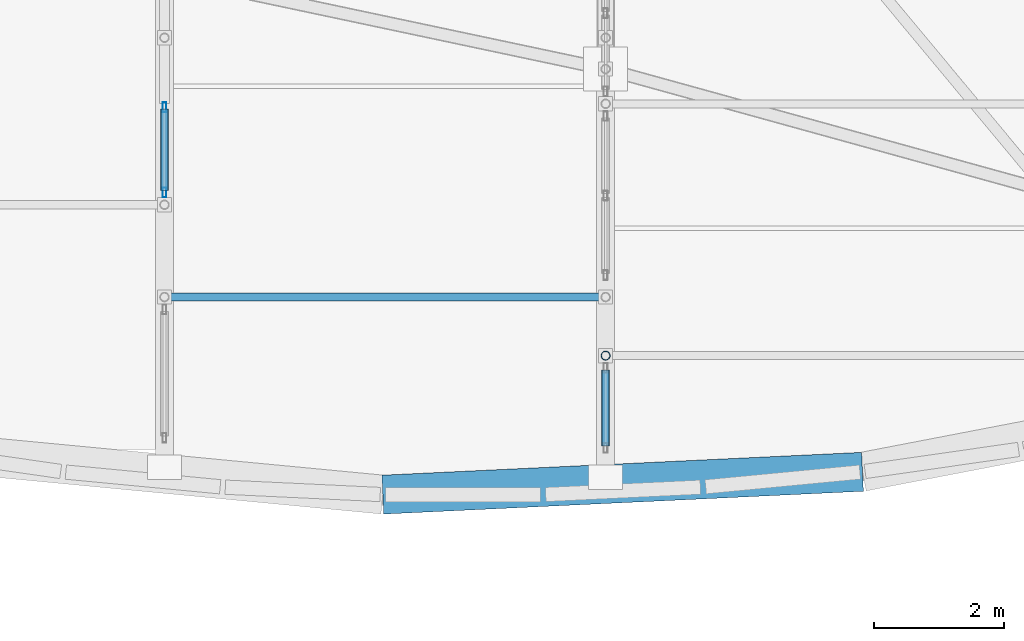
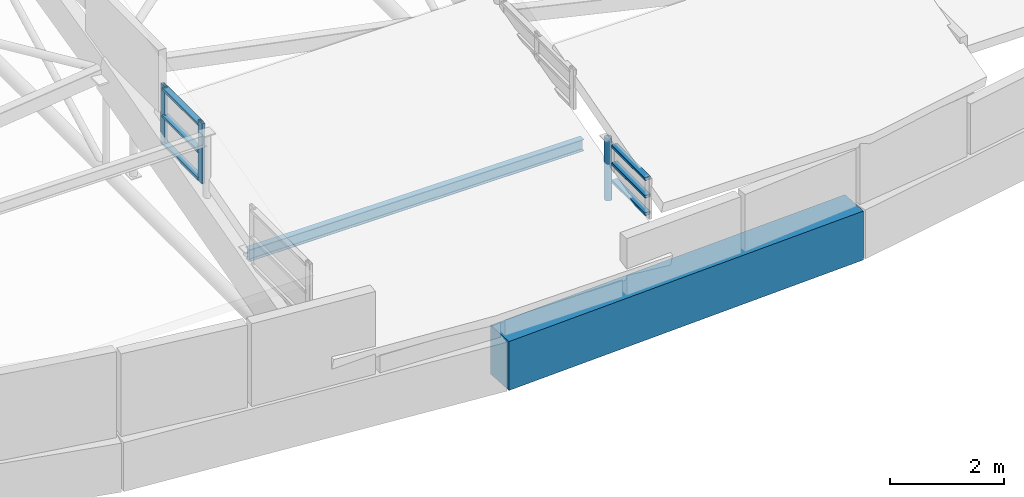
# One storey, part 6 of 188: 10 members, 1 beam, 2 elements without a shape of their own.
"""IFC4 building model written with IfcOpenShell, lengths in metres."""

from ifc_helpers import new_model, si_unit, direction, frame, origin, origin_2d, place, context, subcontext, project, spatial, rectangle, hollow_rectangle, hollow_circle, i_section, extrude, material, layer, layer_set, material_profile, profile_set, type_object, element, aggregate, save


model = new_model("IFC4")

# Units and contexts
model_context = context("Model", 3, precision=1e-05, world=origin(), true_north=direction((0.0, 1.0)))
body_context = subcontext(model_context, "Body", "Model", "MODEL_VIEW")
ifc_project = project(units=[si_unit("LENGTHUNIT", "METRE"), si_unit("AREAUNIT", "SQUARE_METRE"), si_unit("VOLUMEUNIT", "CUBIC_METRE"), si_unit("PLANEANGLEUNIT", "RADIAN"), si_unit("MASSUNIT", "GRAM", prefix="KILO")], contexts=[model_context])

# Site, building, storey
site_placement = place(None, origin())
site = spatial("IfcSite", under=ifc_project, at=site_placement, CompositionType="ELEMENT")
building_placement = place(site_placement, origin())
building = spatial("IfcBuilding", under=site, at=building_placement, Name="Kisaragi Civic Commons", CompositionType="ELEMENT")
storey_placement = place(building_placement, frame((0.0, 0.0, 9.60009765625)))
storey = spatial("IfcBuildingStorey", under=building, at=storey_placement, Name="L02", CompositionType="ELEMENT", Elevation=9.60009765625)

# Curtain wall, members
ifc_material_1 = material(Name="Thermally broken anodized aluminium and low-E double glazing", Category="aluminium")
ifc_layer = layer(ifc_material_1, 0.14990234375, Name="Thermally broken anodized aluminium and low-E double glazing", Category="aluminium")
ifc_layer_set = layer_set([ifc_layer], Name="Thermally broken anodized aluminium and low-E double glazing")
curtain_wall_type = type_object("IfcCurtainWallType", Name="CW-03", PredefinedType="NOTDEFINED", material=ifc_layer_set)
curtain_wall_1_placement = place(storey_placement, origin())
curtain_wall_1 = element("IfcCurtainWall", 1, at=curtain_wall_1_placement, inside=storey, type_object=curtain_wall_type, Name="L02 curtain wall CW-03 CW-CL-V1-154", PredefinedType="NOTDEFINED")
ifc_material_profile_1 = material_profile(ifc_material_1, hollow_rectangle(XDim=0.06005859375, YDim=0.14990234375, WallThickness=0.00390625, InnerFilletRadius=0.00390625, OuterFilletRadius=0.008056640625, at=origin_2d()), Name="CWM-60x150x4", Category="aluminium")
ifc_profile_set_1 = profile_set([ifc_material_profile_1], Name="Thermally broken anodized aluminium and low-E double glazing")
member_type_1 = type_object("IfcMemberType", Name="CWM-01", PredefinedType="MULLION", material=ifc_profile_set_1)
member_1_placement = place(storey_placement, frame((20.39990234375, 6.014404296875, 1.28662109375), z_axis=(0.0, 0.0, 1.0), x_axis=(-1.0, 0.0, 0.0)))
member_1 = element("IfcMember", 2, at=member_1_placement, type_object=member_type_1, Name="CW-03 mullion 1", PredefinedType="MULLION", context=body_context, shape_type="SweptSolid", body=[
    extrude(hollow_rectangle(XDim=0.06005859375, YDim=0.14990234375, WallThickness=0.00390625, InnerFilletRadius=0.00390625, OuterFilletRadius=0.008056640625, at=origin_2d()), origin(), (0.0, 0.0, 1.0), 1.2939453125),
])
member_2_placement = place(storey_placement, frame((20.39990234375, 7.328369140625, 1.28662109375), z_axis=(0.0, 0.0, 1.0), x_axis=(-1.0, 0.0, 0.0)))
member_2 = element("IfcMember", 3, at=member_2_placement, type_object=member_type_1, Name="CW-03 mullion 2", PredefinedType="MULLION", context=body_context, shape_type="SweptSolid", body=[
    extrude(hollow_rectangle(XDim=0.06005859375, YDim=0.14990234375, WallThickness=0.00390625, InnerFilletRadius=0.00390625, OuterFilletRadius=0.008056640625, at=origin_2d()), origin(), (0.0, 0.0, 1.0), 1.2939453125),
])
ifc_material_profile_2 = material_profile(ifc_material_1, hollow_rectangle(XDim=0.1201171875, YDim=0.06005859375, WallThickness=0.00390625, InnerFilletRadius=0.00390625, OuterFilletRadius=0.008056640625, at=origin_2d()), Name="CWT-60x120x4", Category="aluminium")
ifc_profile_set_2 = profile_set([ifc_material_profile_2], Name="Thermally broken anodized aluminium and low-E double glazing")
member_type_2 = type_object("IfcMemberType", Name="CWT-01", PredefinedType="USERDEFINED", material=ifc_profile_set_2)
member_3_placement = place(storey_placement, frame((20.39990234375, 6.04443359375, 1.3466796875), z_axis=(0.0, 1.0, 0.0), x_axis=(-1.0, 0.0, 0.0)))
member_3 = element("IfcMember", 4, at=member_3_placement, type_object=member_type_2, Name="CW-03 transom 1.1", ObjectType="TRANSOM", PredefinedType="USERDEFINED", context=body_context, shape_type="SweptSolid", body=[
    extrude(hollow_rectangle(XDim=0.1201171875, YDim=0.06005859375, WallThickness=0.00390625, InnerFilletRadius=0.00390625, OuterFilletRadius=0.008056640625, at=origin_2d()), origin(), (0.0, 0.0, 1.0), 1.25390625),
])
member_4_placement = place(storey_placement, frame((20.39990234375, 6.04443359375, 1.93359375), z_axis=(0.0, 1.0, 0.0), x_axis=(-1.0, 0.0, 0.0)))
member_4 = element("IfcMember", 5, at=member_4_placement, type_object=member_type_2, Name="CW-03 transom 1.2", ObjectType="TRANSOM", PredefinedType="USERDEFINED", context=body_context, shape_type="SweptSolid", body=[
    extrude(hollow_rectangle(XDim=0.1201171875, YDim=0.06005859375, WallThickness=0.00390625, InnerFilletRadius=0.00390625, OuterFilletRadius=0.008056640625, at=origin_2d()), origin(), (0.0, 0.0, 1.0), 1.25390625),
])
member_5_placement = place(storey_placement, frame((20.39990234375, 6.04443359375, 2.5205078125), z_axis=(0.0, 1.0, 0.0), x_axis=(-1.0, 0.0, 0.0)))
member_5 = element("IfcMember", 6, at=member_5_placement, type_object=member_type_2, Name="CW-03 transom 1.3", ObjectType="TRANSOM", PredefinedType="USERDEFINED", context=body_context, shape_type="SweptSolid", body=[
    extrude(hollow_rectangle(XDim=0.1201171875, YDim=0.06005859375, WallThickness=0.00390625, InnerFilletRadius=0.00390625, OuterFilletRadius=0.008056640625, at=origin_2d()), origin(), (0.0, 0.0, 1.0), 1.25390625),
])
aggregate(curtain_wall_1, [member_1, member_2, member_3, member_4, member_5])

curtain_wall_2_placement = place(storey_placement, origin())
curtain_wall_2 = element("IfcCurtainWall", 7, at=curtain_wall_2_placement, inside=storey, type_object=curtain_wall_type, Name="L02 curtain wall CW-03 CW-CL-V1-164", PredefinedType="NOTDEFINED")
member_6_placement = place(storey_placement, frame((27.199951171875, 2.10400390625, 0.5947265625), z_axis=(0.0, 1.0, 0.0), x_axis=(-1.0, 0.0, 0.0)))
member_6 = element("IfcMember", 8, at=member_6_placement, type_object=member_type_2, Name="CW-03 transom 1.1", ObjectType="TRANSOM", PredefinedType="USERDEFINED", context=body_context, shape_type="SweptSolid", body=[
    extrude(hollow_rectangle(XDim=0.1201171875, YDim=0.06005859375, WallThickness=0.00390625, InnerFilletRadius=0.00390625, OuterFilletRadius=0.008056640625, at=origin_2d()), origin(), (0.0, 0.0, 1.0), 1.17529296875),
])
member_7_placement = place(storey_placement, frame((27.199951171875, 2.10400390625, 0.969482421875), z_axis=(0.0, 1.0, 0.0), x_axis=(-1.0, 0.0, 0.0)))
member_7 = element("IfcMember", 9, at=member_7_placement, type_object=member_type_2, Name="CW-03 transom 1.2", ObjectType="TRANSOM", PredefinedType="USERDEFINED", context=body_context, shape_type="SweptSolid", body=[
    extrude(hollow_rectangle(XDim=0.1201171875, YDim=0.06005859375, WallThickness=0.00390625, InnerFilletRadius=0.00390625, OuterFilletRadius=0.008056640625, at=origin_2d()), origin(), (0.0, 0.0, 1.0), 1.17529296875),
])
member_8_placement = place(storey_placement, frame((27.199951171875, 2.10400390625, 1.343994140625), z_axis=(0.0, 1.0, 0.0), x_axis=(-1.0, 0.0, 0.0)))
member_8 = element("IfcMember", 10, at=member_8_placement, type_object=member_type_2, Name="CW-03 transom 1.3", ObjectType="TRANSOM", PredefinedType="USERDEFINED", context=body_context, shape_type="SweptSolid", body=[
    extrude(hollow_rectangle(XDim=0.1201171875, YDim=0.06005859375, WallThickness=0.00390625, InnerFilletRadius=0.00390625, OuterFilletRadius=0.008056640625, at=origin_2d()), origin(), (0.0, 0.0, 1.0), 1.17529296875),
])
aggregate(curtain_wall_2, [member_6, member_7, member_8])

# Beam
ifc_material_2 = material(Name="Concrete Fc36", Category="concrete")
ifc_material_profile_3 = material_profile(ifc_material_2, rectangle(XDim=0.60009765625, YDim=1.050048828125, at=origin_2d()), Name="RC-600x1050", Category="concrete")
ifc_profile_set_3 = profile_set([ifc_material_profile_3], Name="Concrete Fc36")
beam_type = type_object("IfcBeamType", Name="G-06", PredefinedType="BEAM", material=ifc_profile_set_3)
beam_placement = place(storey_placement, frame((23.76513671875, 1.356201171875, -0.84521484375), z_axis=(0.99887179071, 0.047488374612, 0.0), x_axis=(-0.047488374612, 0.99887179071, 0.0)))
element("IfcBeam", 11, at=beam_placement, inside=storey, type_object=beam_type, Name="L02 curved spandrel/ring girder G-06 265", PredefinedType="BEAM", context=body_context, shape_type="SweptSolid", body=[
    extrude(rectangle(XDim=0.60009765625, YDim=1.050048828125, at=origin_2d()), origin(), (0.0, 0.0, 1.0), 7.403076171875),
])

# Members
ifc_material_3 = material(Name="Steel SN400 (SN400B)", Category="steel")
ifc_material_profile_4 = material_profile(ifc_material_3, i_section(OverallWidth=0.125, OverallDepth=0.25, WebThickness=0.006103515625, FlangeThickness=0.009033203125, FilletRadius=0.008056640625, at=origin_2d()), Name="H-250x125x6x9", Category="steel")
ifc_profile_set_4 = profile_set([ifc_material_profile_4], Name="Steel SN400 (SN400B)")
member_type_3 = type_object("IfcMemberType", Name="PR-01", PredefinedType="PURLIN", material=ifc_profile_set_4)
member_9_placement = place(storey_placement, frame((20.39990234375, 4.4013671875, 0.70751953125), z_axis=(1.0, 0.0, 0.0), x_axis=(0.0, 1.0, 0.0)))
element("IfcMember", 12, at=member_9_placement, inside=storey, type_object=member_type_3, Name="V1 wave vault steel purlin 25", PredefinedType="PURLIN", context=body_context, shape_type="SweptSolid", body=[
    extrude(i_section(OverallWidth=0.125, OverallDepth=0.25, WebThickness=0.006103515625, FlangeThickness=0.009033203125, FilletRadius=0.008056640625, at=origin_2d()), origin(), (0.0, 0.0, 1.0), 6.800048828125),
])
ifc_material_4 = material(Name="Steel SN490 (SN490B)", Category="steel")
ifc_material_profile_5 = material_profile(ifc_material_4, hollow_circle(Radius=0.06982421875, WallThickness=0.006103515625, at=origin_2d()), Name="CHS-139.8x6.0", Category="steel")
ifc_profile_set_5 = profile_set([ifc_material_profile_5], Name="Steel SN490 (SN490B)")
member_type_4 = type_object("IfcMemberType", Name="ST-H1", PredefinedType="STRUT", material=ifc_profile_set_5)
member_10_placement = place(storey_placement, frame((27.199951171875, 3.499267578125, 0.0615234375), z_axis=(0.0, 0.0, 1.0), x_axis=(1.0, 0.0, 0.0)))
element("IfcMember", 13, at=member_10_placement, inside=storey, type_object=member_type_4, Name="V1 clerestory monitor horizontal tie strut 5.4.1", PredefinedType="STRUT", context=body_context, shape_type="SweptSolid", body=[
    extrude(hollow_circle(Radius=0.06982421875, WallThickness=0.006103515625, at=origin_2d()), origin(), (0.0, 0.0, 1.0), 1.330078125),
])

save(model, "model.ifc")
